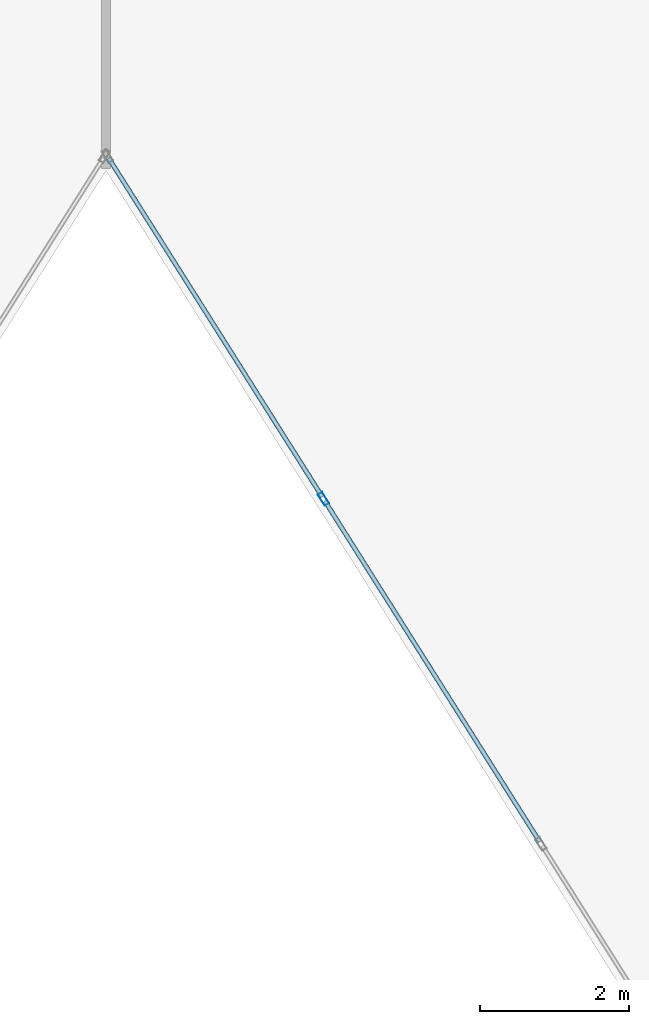
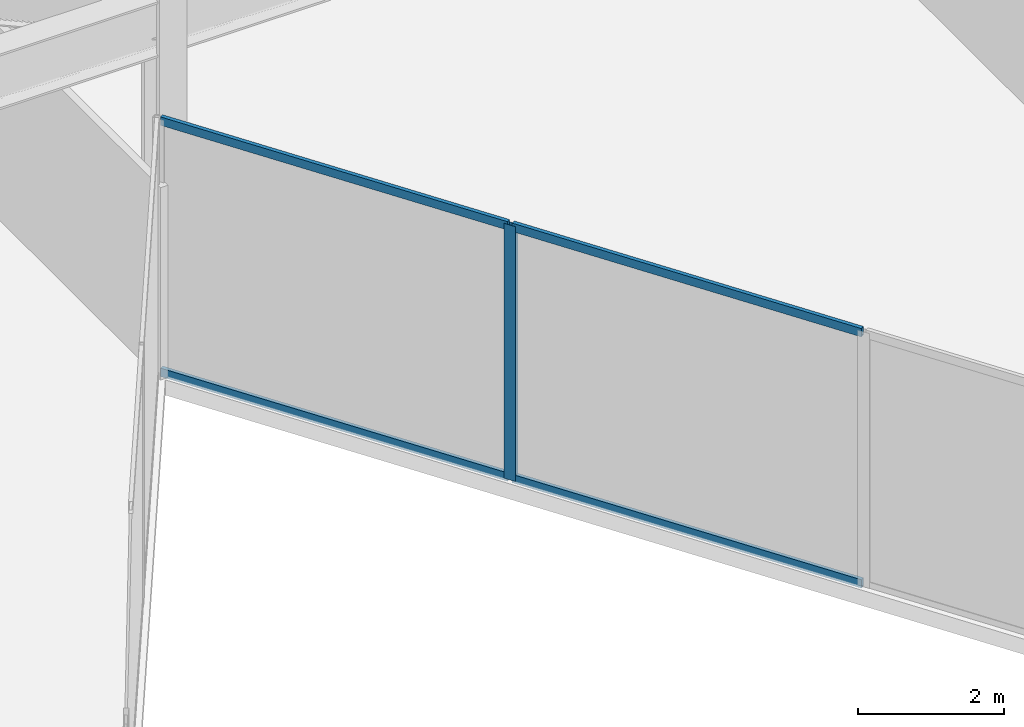
# One storey, part 15 of 28: 5 members, 1 element without a shape of its own.
"""IFC4 building model written with IfcOpenShell, lengths in metres."""

from ifc_helpers import new_model, si_unit, direction, frame, origin, origin_2d, place, context, subcontext, project, spatial, hollow_rectangle, extrude, material, layer, layer_set, material_profile, profile_set, type_object, element, aggregate, save


model = new_model("IFC4")

# Units and contexts
model_context = context("Model", 3, precision=1e-05, world=origin(), true_north=direction((0.0, 1.0)))
body_context = subcontext(model_context, "Body", "Model", "MODEL_VIEW")
ifc_project = project(units=[si_unit("LENGTHUNIT", "METRE"), si_unit("AREAUNIT", "SQUARE_METRE"), si_unit("VOLUMEUNIT", "CUBIC_METRE"), si_unit("PLANEANGLEUNIT", "RADIAN"), si_unit("MASSUNIT", "GRAM", prefix="KILO")], contexts=[model_context])

# Site, building, storey
site_placement = place(None, origin())
site = spatial("IfcSite", under=ifc_project, at=site_placement, CompositionType="ELEMENT")
building_placement = place(site_placement, origin())
building = spatial("IfcBuilding", under=site, at=building_placement, Name="Kravanh Interchange Tower", CompositionType="ELEMENT")
storey_placement = place(building_placement, frame((0.0, 0.0, 91.5)))
storey = spatial("IfcBuildingStorey", under=building, at=storey_placement, Name="L21", CompositionType="ELEMENT", Elevation=91.5)

# Curtain wall, members
ifc_material_1 = material(Name="Anodised Bronze Aluminium", Category="aluminium")
ifc_layer = layer(ifc_material_1, 0.179931640625)
ifc_layer_set = layer_set([ifc_layer], Name="Unitised Curtain Wall System CW-SKY Sky Observatory")
curtain_wall_type = type_object("IfcCurtainWallType", Name="Unitised Curtain Wall System CW-SKY Sky Observatory", PredefinedType="NOTDEFINED", material=ifc_layer_set)
curtain_wall_placement = place(storey_placement, origin())
curtain_wall = element("IfcCurtainWall", 1, at=curtain_wall_placement, inside=storey, type_object=curtain_wall_type, Name="L21 Unitised Curtain Wall CW-L21-05", PredefinedType="NOTDEFINED")
ifc_material_2 = material(Name="Anodised Bronze Aluminium", Category="aluminium")
ifc_material_profile_1 = material_profile(ifc_material_2, hollow_rectangle(XDim=0.070068359375, YDim=0.179931640625, WallThickness=0.00390625, at=origin_2d()), Name="ALU70X180X4")
ifc_profile_set_1 = profile_set([ifc_material_profile_1], Name="Anodised Bronze Aluminium")
member_type_1 = type_object("IfcMemberType", Name="Curtain Wall Mullion ALU70X180X4 Bronze", PredefinedType="MULLION", material=ifc_profile_set_1)
member_1_placement = place(storey_placement, frame((39.913330078125, 19.60400390625, 0.0), z_axis=(0.0, 0.0, 1.0), x_axis=(-0.845925530786, -0.53330103728, 0.0)))
member_1 = element("IfcMember", 2, at=member_1_placement, type_object=member_type_1, Name="CW-SKY mullion 5", PredefinedType="MULLION", context=body_context, shape_type="SweptSolid", body=[
    extrude(hollow_rectangle(XDim=0.070068359375, YDim=0.179931640625, WallThickness=0.00390625, at=origin_2d()), origin(), (0.0, 0.0, 1.0), 4.25),
])
ifc_material_3 = material(Name="Anodised Bronze Aluminium", Category="aluminium")
ifc_material_profile_2 = material_profile(ifc_material_3, hollow_rectangle(XDim=0.06005859375, YDim=0.139892578125, WallThickness=0.00390625, at=origin_2d()), Name="ALU60X140X4")
ifc_profile_set_2 = profile_set([ifc_material_profile_2], Name="Anodised Bronze Aluminium")
member_type_2 = type_object("IfcMemberType", Name="Curtain Wall Transom ALU60X140X4 Bronze", PredefinedType="USERDEFINED", material=ifc_profile_set_2)
member_2_placement = place(storey_placement, frame((42.807861328125, 15.0126953125, 0.030029296875), z_axis=(-0.533311487456, 0.84591894254, 0.0), x_axis=(-0.84591894254, -0.533311487456, 0.0)))
member_2 = element("IfcMember", 3, at=member_2_placement, type_object=member_type_2, Name="CW-SKY transom 4.1", ObjectType="TRANSOM", PredefinedType="USERDEFINED", context=body_context, shape_type="SweptSolid", body=[
    extrude(hollow_rectangle(XDim=0.06005859375, YDim=0.139892578125, WallThickness=0.00390625, at=origin_2d()), origin(), (0.0, 0.0, 1.0), 5.392578125),
])
member_3_placement = place(storey_placement, frame((42.807861328125, 15.0126953125, 4.219970703125), z_axis=(-0.533311487456, 0.84591894254, 0.0), x_axis=(-0.84591894254, -0.533311487456, 0.0)))
member_3 = element("IfcMember", 4, at=member_3_placement, type_object=member_type_2, Name="CW-SKY transom 4.2", ObjectType="TRANSOM", PredefinedType="USERDEFINED", context=body_context, shape_type="SweptSolid", body=[
    extrude(hollow_rectangle(XDim=0.06005859375, YDim=0.139892578125, WallThickness=0.00390625, at=origin_2d()), origin(), (0.0, 0.0, 1.0), 5.392578125),
])
member_4_placement = place(storey_placement, frame((39.89453125, 19.633544921875, 0.030029296875), z_axis=(-0.533288163518, 0.845933646719, 0.0), x_axis=(-0.845933646719, -0.533288163518, 0.0)))
member_4 = element("IfcMember", 5, at=member_4_placement, type_object=member_type_2, Name="CW-SKY transom 5.1", ObjectType="TRANSOM", PredefinedType="USERDEFINED", context=body_context, shape_type="SweptSolid", body=[
    extrude(hollow_rectangle(XDim=0.06005859375, YDim=0.139892578125, WallThickness=0.00390625, at=origin_2d()), origin(), (0.0, 0.0, 1.0), 5.357666015625),
])
member_5_placement = place(storey_placement, frame((39.89453125, 19.633544921875, 4.219970703125), z_axis=(-0.533288163518, 0.845933646719, 0.0), x_axis=(-0.845933646719, -0.533288163518, 0.0)))
member_5 = element("IfcMember", 6, at=member_5_placement, type_object=member_type_2, Name="CW-SKY transom 5.2", ObjectType="TRANSOM", PredefinedType="USERDEFINED", context=body_context, shape_type="SweptSolid", body=[
    extrude(hollow_rectangle(XDim=0.06005859375, YDim=0.139892578125, WallThickness=0.00390625, at=origin_2d()), origin(), (0.0, 0.0, 1.0), 5.357666015625),
])
aggregate(curtain_wall, [member_1, member_2, member_3, member_4, member_5])

save(model, "model.ifc")
